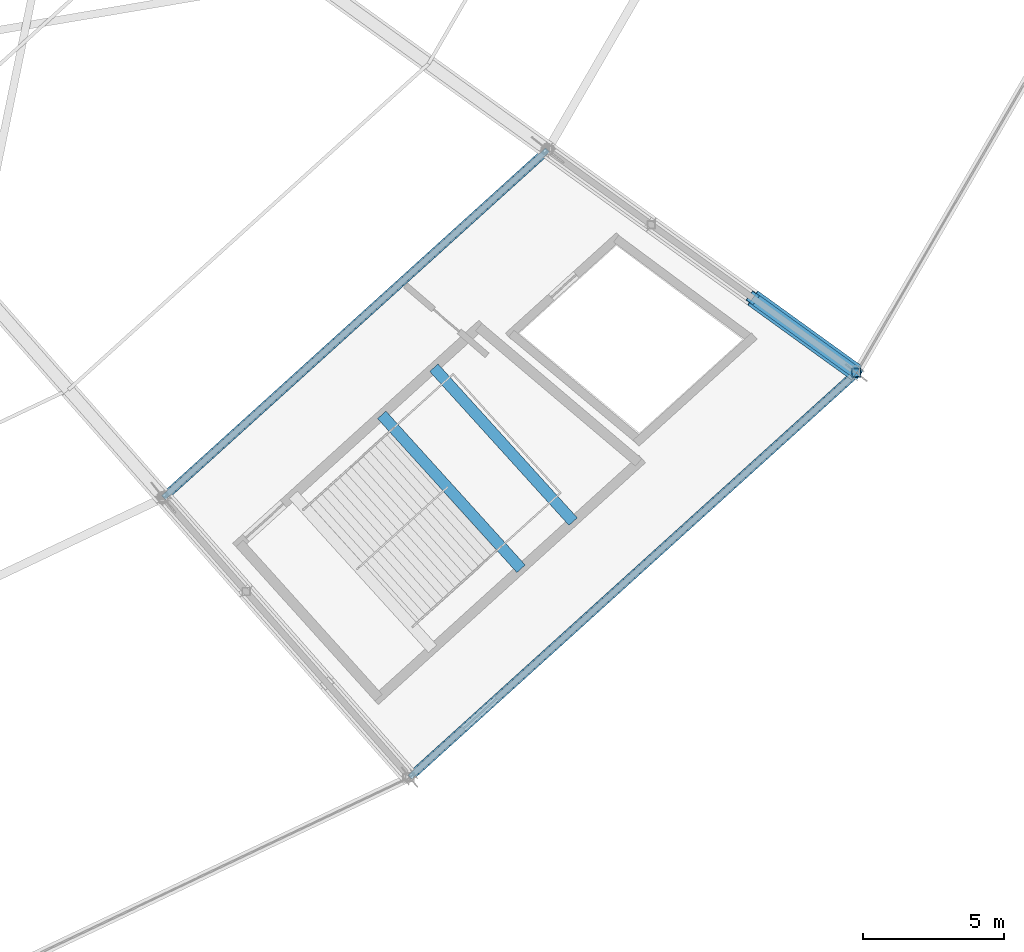
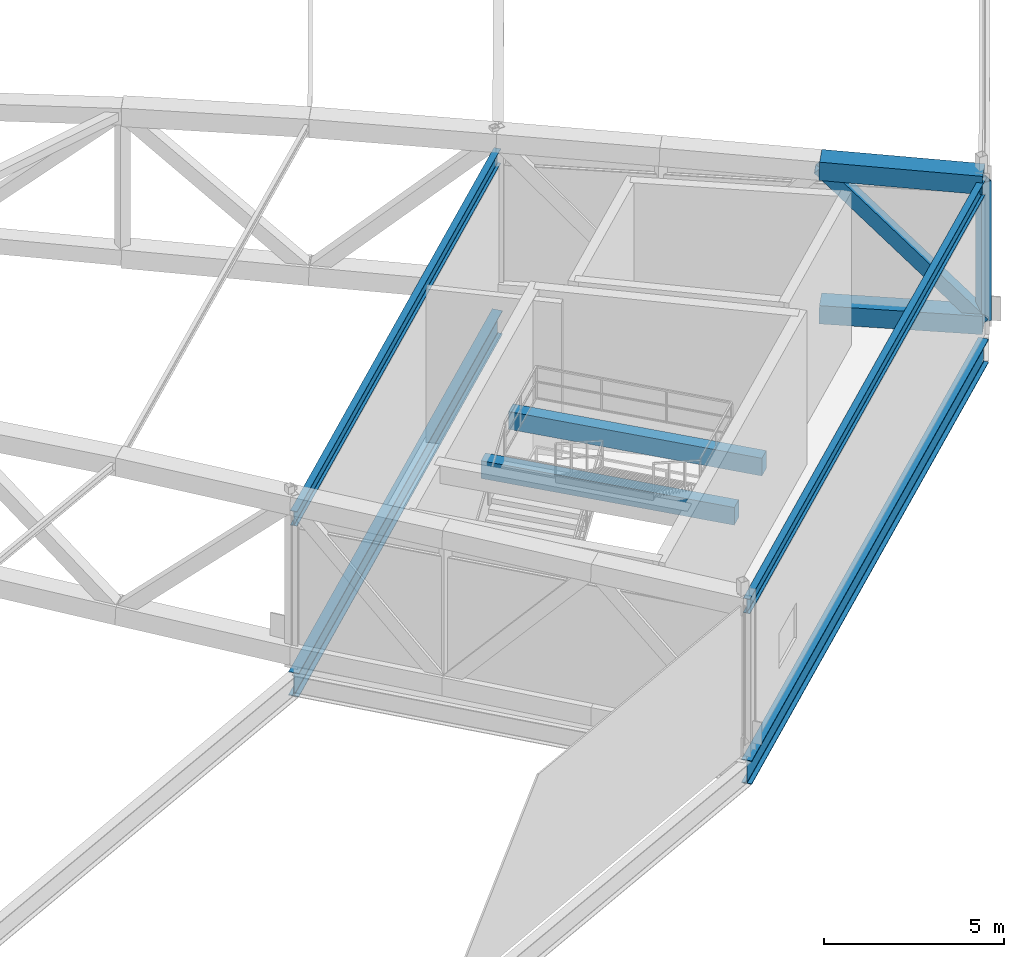
# One storey, part 49 of 162: 6 beams, 4 members.
"""IFC4 building model written with IfcOpenShell, lengths in metres."""

from ifc_helpers import new_model, si_unit, direction, frame, origin, origin_2d, place, context, subcontext, project, spatial, rectangle, hollow_rectangle, i_section, extrude, material, material_profile, profile_set, type_object, element, save


model = new_model("IFC4")

# Units and contexts
model_context = context("Model", 3, precision=1e-05, world=origin(), true_north=direction((0.0, 1.0)))
body_context = subcontext(model_context, "Body", "Model", "MODEL_VIEW")
ifc_project = project(units=[si_unit("LENGTHUNIT", "METRE"), si_unit("AREAUNIT", "SQUARE_METRE"), si_unit("VOLUMEUNIT", "CUBIC_METRE"), si_unit("PLANEANGLEUNIT", "RADIAN"), si_unit("MASSUNIT", "GRAM", prefix="KILO")], contexts=[model_context])

# Site, building, storey
site_placement = place(None, origin())
site = spatial("IfcSite", under=ifc_project, at=site_placement, CompositionType="ELEMENT")
building_placement = place(site_placement, origin())
building = spatial("IfcBuilding", under=site, at=building_placement, Name="Kazemori Nagisa Stadium", CompositionType="ELEMENT")
storey_placement = place(building_placement, frame((0.0, 0.0, 36.719970703125)))
storey = spatial("IfcBuildingStorey", under=building, at=storey_placement, Name="RF", CompositionType="ELEMENT", Elevation=36.719970703125)

# Beams
ifc_material_1 = material(Name="Steel SN490B", Category="steel")
ifc_material_profile_1 = material_profile(ifc_material_1, i_section(OverallWidth=0.199951171875, OverallDepth=0.5, WebThickness=0.010009765625, FlangeThickness=0.01611328125, FilletRadius=0.012939453125, at=origin_2d()), Name="H-500x200x10x16")
ifc_profile_set_1 = profile_set([ifc_material_profile_1], Name="Steel SN490B")
beam_type_1 = type_object("IfcBeamType", Name="Beam_BG-H500", PredefinedType="BEAM", material=ifc_profile_set_1)
beam_1_placement = place(storey_placement, frame((176.834228515625, 40.88916015625, 4.93994140625), z_axis=(0.741349142139, 0.671119549298, 0.0), x_axis=(-0.671119549298, 0.741349142139, 0.0)))
element("IfcBeam", 1, at=beam_1_placement, inside=storey, type_object=beam_type_1, Name="Headhouse roof beam BG-H500 B25-in", PredefinedType="BEAM", context=body_context, shape_type="SweptSolid", body=[
    extrude(i_section(OverallWidth=0.199951171875, OverallDepth=0.5, WebThickness=0.010009765625, FlangeThickness=0.01611328125, FilletRadius=0.012939453125, at=origin_2d()), origin(), (0.0, 0.0, 1.0), 18.44189453125),
])
beam_2_placement = place(storey_placement, frame((185.597900390625, 30.94091796875, 4.93994140625), z_axis=(0.741351531326, 0.671116910084, 0.0), x_axis=(-0.671116910084, 0.741351531326, 0.0)))
element("IfcBeam", 2, at=beam_2_placement, inside=storey, type_object=beam_type_1, Name="Headhouse roof beam BG-H500 B25-out", PredefinedType="BEAM", context=body_context, shape_type="SweptSolid", body=[
    extrude(i_section(OverallWidth=0.199951171875, OverallDepth=0.5, WebThickness=0.010009765625, FlangeThickness=0.01611328125, FilletRadius=0.012939453125, at=origin_2d()), origin(), (0.0, 0.0, 1.0), 21.44384765625),
])
ifc_material_profile_2 = material_profile(ifc_material_1, i_section(OverallWidth=0.300048828125, OverallDepth=0.800048828125, WebThickness=0.013916015625, FlangeThickness=0.02587890625, FilletRadius=0.01806640625, at=origin_2d()), Name="H-800x300x14x26")
ifc_profile_set_2 = profile_set([ifc_material_profile_2], Name="Steel SN490B")
beam_type_2 = type_object("IfcBeamType", Name="Beam_BG-H800", PredefinedType="BEAM", material=ifc_profile_set_2)
beam_3_placement = place(storey_placement, frame((176.834228515625, 40.88916015625, -0.679931640625), z_axis=(0.741349142139, 0.671119549298, 0.0), x_axis=(-0.671119549298, 0.741349142139, 0.0)))
element("IfcBeam", 3, at=beam_3_placement, inside=storey, type_object=beam_type_2, Name="Ring girder BG-H800 RF R2-25", PredefinedType="BEAM", context=body_context, shape_type="SweptSolid", body=[
    extrude(i_section(OverallWidth=0.300048828125, OverallDepth=0.800048828125, WebThickness=0.013916015625, FlangeThickness=0.02587890625, FilletRadius=0.01806640625, at=origin_2d()), origin(), (0.0, 0.0, 1.0), 18.44189453125),
])
beam_4_placement = place(storey_placement, frame((185.597900390625, 30.94091796875, -0.679931640625), z_axis=(0.741351531326, 0.671116910084, 0.0), x_axis=(-0.671116910084, 0.741351531326, 0.0)))
element("IfcBeam", 4, at=beam_4_placement, inside=storey, type_object=beam_type_2, Name="Roof compression ring beam BG-H800 R3-25", PredefinedType="BEAM", context=body_context, shape_type="SweptSolid", body=[
    extrude(i_section(OverallWidth=0.300048828125, OverallDepth=0.800048828125, WebThickness=0.013916015625, FlangeThickness=0.02587890625, FilletRadius=0.01806640625, at=origin_2d()), origin(), (0.0, 0.0, 1.0), 21.44384765625),
])
ifc_material_2 = material(Name="Concrete C40/50 (Fc42)", Category="concrete")
ifc_material_profile_3 = material_profile(ifc_material_2, rectangle(XDim=0.39990234375, YDim=0.60009765625, at=origin_2d()), Name="RC-BM-400x600")
ifc_profile_set_3 = profile_set([ifc_material_profile_3], Name="Concrete C40/50 (Fc42)")
beam_type_3 = type_object("IfcBeamType", Name="Beam_BG-LND400X600", PredefinedType="BEAM", material=ifc_profile_set_3)
beam_5_placement = place(storey_placement, frame((184.60400390625, 43.835693359375, 2.219970703125), z_axis=(0.671095068472, -0.741371303108, 0.0), x_axis=(0.741371303108, 0.671095068472, 0.0)))
element("IfcBeam", 5, at=beam_5_placement, inside=storey, type_object=beam_type_3, Name="Core stair mid-landing girder ST04-RF-1", PredefinedType="BEAM", context=body_context, shape_type="SweptSolid", body=[
    extrude(rectangle(XDim=0.39990234375, YDim=0.60009765625, at=origin_2d()), origin(), (0.0, 0.0, 1.0), 7.3857421875),
])
beam_6_placement = place(storey_placement, frame((186.457275390625, 45.513427734375, 2.219970703125), z_axis=(0.671113236271, -0.74135485707, 0.0), x_axis=(0.74135485707, 0.671113236271, 0.0)))
element("IfcBeam", 6, at=beam_6_placement, inside=storey, type_object=beam_type_3, Name="Core stair mid-landing girder ST04-RF-2", PredefinedType="BEAM", context=body_context, shape_type="SweptSolid", body=[
    extrude(rectangle(XDim=0.39990234375, YDim=0.60009765625, at=origin_2d()), origin(), (0.0, 0.0, 1.0), 7.385986328125),
])

# Members
ifc_material_3 = material(Name="Steel STKR490", Category="steel")
ifc_material_profile_4 = material_profile(ifc_material_3, hollow_rectangle(XDim=0.419921875, YDim=0.419921875, WallThickness=0.01611328125, at=origin_2d()), Name="SHS-420x420x16")
ifc_profile_set_4 = profile_set([ifc_material_profile_4], Name="Steel STKR490")
member_type_1 = type_object("IfcMemberType", Name="Member_TB-SHS420", PredefinedType="BRACE", material=ifc_profile_set_4)
member_1_placement = place(storey_placement, frame((201.495361328125, 45.332275390625, 0.360107421875), z_axis=(-0.551711223823, 0.398330319099, 0.732767140635), x_axis=(-0.585367131557, -0.810768352425, 0.0)))
element("IfcMember", 7, at=member_1_placement, inside=storey, type_object=member_type_1, Name="Roof space truss diagonal RT-26-1", PredefinedType="BRACE", context=body_context, shape_type="SweptSolid", body=[
    extrude(hollow_rectangle(XDim=0.419921875, YDim=0.419921875, WallThickness=0.01611328125, at=origin_2d()), origin(), (0.0, 0.0, 1.0), 6.686767578125),
])
ifc_material_profile_5 = material_profile(ifc_material_3, hollow_rectangle(XDim=0.6201171875, YDim=0.6201171875, WallThickness=0.02197265625, at=origin_2d()), Name="SHS-620x620x22")
ifc_profile_set_5 = profile_set([ifc_material_profile_5], Name="Steel STKR490")
member_type_2 = type_object("IfcMemberType", Name="Member_TC-SHS620", PredefinedType="CHORD", material=ifc_profile_set_5)
member_2_placement = place(storey_placement, frame((201.495361328125, 45.332275390625, 5.10009765625), z_axis=(-0.810268139973, 0.585005982867, 0.035121807404), x_axis=(-0.585367131557, -0.810768352425, 0.0)))
element("IfcMember", 8, at=member_2_placement, inside=storey, type_object=member_type_2, Name="Roof space truss top chord RT-26-1", PredefinedType="CHORD", context=body_context, shape_type="SweptSolid", body=[
    extrude(hollow_rectangle(XDim=0.6201171875, YDim=0.6201171875, WallThickness=0.02197265625, at=origin_2d()), origin(), (0.0, 0.0, 1.0), 4.552978515625),
])
member_3_placement = place(storey_placement, frame((201.495361328125, 45.332275390625, 0.360107421875), z_axis=(-0.810736966391, 0.585344471135, 0.008798945304), x_axis=(-0.585367131557, -0.810768352425, 0.0)))
element("IfcMember", 9, at=member_3_placement, inside=storey, type_object=member_type_2, Name="Roof space truss bottom chord RT-26-1", PredefinedType="CHORD", context=body_context, shape_type="SweptSolid", body=[
    extrude(hollow_rectangle(XDim=0.6201171875, YDim=0.6201171875, WallThickness=0.02197265625, at=origin_2d()), origin(), (0.0, 0.0, 1.0), 4.550537109375),
])
ifc_material_profile_6 = material_profile(ifc_material_3, hollow_rectangle(XDim=0.320068359375, YDim=0.320068359375, WallThickness=0.011962890625, at=origin_2d()), Name="SHS-320x320x12")
ifc_profile_set_6 = profile_set([ifc_material_profile_6], Name="Steel STKR490")
member_type_3 = type_object("IfcMemberType", Name="Member_TS-SHS320", PredefinedType="STRUT", material=ifc_profile_set_6)
member_4_placement = place(storey_placement, frame((201.495361328125, 45.332275390625, 0.360107421875), z_axis=(0.0, 0.0, 1.0), x_axis=(1.0, 0.0, 0.0)))
element("IfcMember", 10, at=member_4_placement, inside=storey, type_object=member_type_3, Name="Roof space truss strut RT-26-1", PredefinedType="STRUT", context=body_context, shape_type="SweptSolid", body=[
    extrude(hollow_rectangle(XDim=0.320068359375, YDim=0.320068359375, WallThickness=0.011962890625, at=origin_2d()), origin(), (0.0, 0.0, 1.0), 4.739990234375),
])

save(model, "model.ifc")
